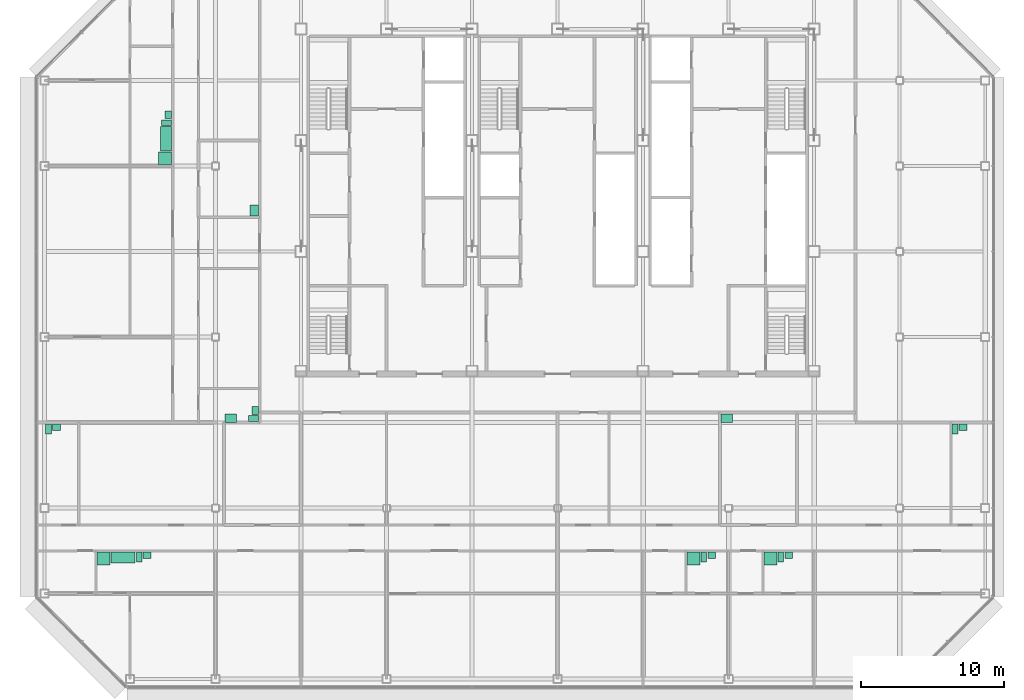
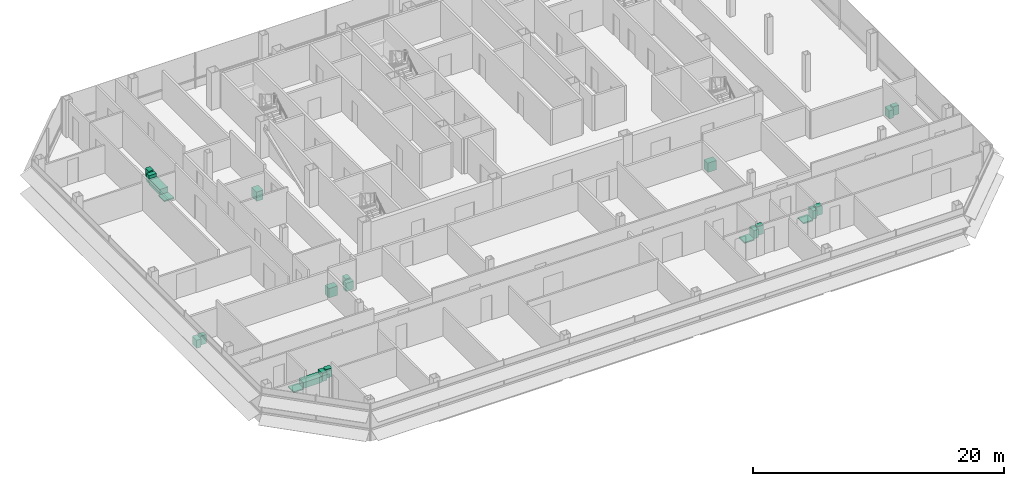
# One storey, part 27 of 27: 23 sanitary terminals.
"""IFC4 building model written with IfcOpenShell, lengths in metres."""

from ifc_helpers import new_model, si_unit, direction, frame, origin, origin_2d, place, context, subcontext, project, spatial, rectangle, extrude, element, save


model = new_model("IFC4")

# Units and contexts
model_context = context("Model", 3, precision=1e-05, world=origin(), true_north=direction((0.0, 1.0)))
body_context = subcontext(model_context, "Body", "Model", "MODEL_VIEW")
ifc_project = project(units=[si_unit("LENGTHUNIT", "METRE"), si_unit("AREAUNIT", "SQUARE_METRE"), si_unit("VOLUMEUNIT", "CUBIC_METRE"), si_unit("PLANEANGLEUNIT", "RADIAN"), si_unit("MASSUNIT", "GRAM", prefix="KILO")], contexts=[model_context])

# Site, building, storey
site_placement = place(None, origin())
site = spatial("IfcSite", under=ifc_project, at=site_placement, CompositionType="ELEMENT")
building_placement = place(site_placement, origin())
building = spatial("IfcBuilding", under=site, at=building_placement, Name="Sorahane Residences", CompositionType="ELEMENT")
storey_placement = place(building_placement, frame((0.0, 0.0, 246.800048828125)))
storey = spatial("IfcBuildingStorey", under=building, at=storey_placement, Name="L58", CompositionType="ELEMENT", Elevation=246.800048828125)

# Sanitary terminals
sanitary_terminal_1_placement = place(storey_placement, frame((-7.8701171875, 8.449951171875, 0.0), z_axis=(0.0, 0.0, 1.0), x_axis=(1.0, 0.0, 0.0)))
element("IfcSanitaryTerminal", 1, at=sanitary_terminal_1_placement, inside=storey, Name="Shower tray En-suite bathroom 58A", PredefinedType="SHOWER", context=body_context, shape_type="SweptSolid", body=[
    extrude(rectangle(XDim=0.89990234375, YDim=0.89990234375, at=origin_2d()), origin(), (0.0, 0.0, 1.0), 0.1201171875),
])
sanitary_terminal_2_placement = place(storey_placement, frame((-6.489990234375, 8.52490234375, 0.0), z_axis=(0.0, 0.0, 1.0), x_axis=(1.0, 0.0, 0.0)))
element("IfcSanitaryTerminal", 2, at=sanitary_terminal_2_placement, inside=storey, Name="Bath En-suite bathroom 58A", PredefinedType="BATH", context=body_context, shape_type="SweptSolid", body=[
    extrude(rectangle(XDim=1.699951171875, YDim=0.75, at=origin_2d()), origin(), (0.0, 0.0, 1.0), 0.56005859375),
])
sanitary_terminal_3_placement = place(storey_placement, frame((-5.360107421875, 8.550048828125, 0.0), z_axis=(0.0, 0.0, 1.0), x_axis=(1.0, 0.0, 0.0)))
element("IfcSanitaryTerminal", 3, at=sanitary_terminal_3_placement, inside=storey, Name="WC pan En-suite bathroom 58A", PredefinedType="TOILETPAN", context=body_context, shape_type="SweptSolid", body=[
    extrude(rectangle(XDim=0.39990234375, YDim=0.699951171875, at=origin_2d()), origin(), (0.0, 0.0, 1.0), 0.800048828125),
])
sanitary_terminal_4_placement = place(storey_placement, frame((-4.804931640625, 8.675048828125, 0.0), z_axis=(0.0, 0.0, 1.0), x_axis=(1.0, 0.0, 0.0)))
element("IfcSanitaryTerminal", 4, at=sanitary_terminal_4_placement, inside=storey, Name="Wash basin En-suite bathroom 58A", PredefinedType="WASHHANDBASIN", context=body_context, shape_type="SweptSolid", body=[
    extrude(rectangle(XDim=0.550048828125, YDim=0.449951171875, at=origin_2d()), origin(), (0.0, 0.0, 1.0), 0.85009765625),
])
sanitary_terminal_5_placement = place(storey_placement, frame((-11.719970703125, 17.550048828125, 0.0), z_axis=(0.0, 0.0, 1.0), x_axis=(1.0, 0.0, 0.0)))
element("IfcSanitaryTerminal", 5, at=sanitary_terminal_5_placement, inside=storey, Name="WC pan Powder room 58A", PredefinedType="TOILETPAN", context=body_context, shape_type="SweptSolid", body=[
    extrude(rectangle(XDim=0.39990234375, YDim=0.699951171875, at=origin_2d()), origin(), (0.0, 0.0, 1.0), 0.800048828125),
])
sanitary_terminal_6_placement = place(storey_placement, frame((-11.1650390625, 17.675048828125, 0.0), z_axis=(0.0, 0.0, 1.0), x_axis=(1.0, 0.0, 0.0)))
element("IfcSanitaryTerminal", 6, at=sanitary_terminal_6_placement, inside=storey, Name="Wash basin Powder room 58A", PredefinedType="WASHHANDBASIN", context=body_context, shape_type="SweptSolid", body=[
    extrude(rectangle(XDim=0.550048828125, YDim=0.449951171875, at=origin_2d()), origin(), (0.0, 0.0, 1.0), 0.85009765625),
])
sanitary_terminal_7_placement = place(storey_placement, frame((1.080078125, 18.300048828125, 0.0), z_axis=(0.0, 0.0, 1.0), x_axis=(1.0, 0.0, 0.0)))
element("IfcSanitaryTerminal", 7, at=sanitary_terminal_7_placement, inside=storey, Name="Kitchen sink Kitchen 58A", PredefinedType="SINK", context=body_context, shape_type="SweptSolid", body=[
    extrude(rectangle(XDim=0.800048828125, YDim=0.60009765625, at=origin_2d()), origin(), (0.0, 0.0, 1.0), 0.89990234375),
])
sanitary_terminal_8_placement = place(storey_placement, frame((33.530029296875, 8.449951171875, 0.0), z_axis=(0.0, 0.0, 1.0), x_axis=(1.0, 0.0, 0.0)))
element("IfcSanitaryTerminal", 8, at=sanitary_terminal_8_placement, inside=storey, Name="Shower tray En-suite bathroom 58B", PredefinedType="SHOWER", context=body_context, shape_type="SweptSolid", body=[
    extrude(rectangle(XDim=0.89990234375, YDim=0.89990234375, at=origin_2d()), origin(), (0.0, 0.0, 1.0), 0.1201171875),
])
sanitary_terminal_9_placement = place(storey_placement, frame((34.260009765625, 8.550048828125, 0.0), z_axis=(0.0, 0.0, 1.0), x_axis=(1.0, 0.0, 0.0)))
element("IfcSanitaryTerminal", 9, at=sanitary_terminal_9_placement, inside=storey, Name="WC pan En-suite bathroom 58B", PredefinedType="TOILETPAN", context=body_context, shape_type="SweptSolid", body=[
    extrude(rectangle(XDim=0.39990234375, YDim=0.699951171875, at=origin_2d()), origin(), (0.0, 0.0, 1.0), 0.800048828125),
])
sanitary_terminal_10_placement = place(storey_placement, frame((34.81494140625, 8.675048828125, 0.0), z_axis=(0.0, 0.0, 1.0), x_axis=(1.0, 0.0, 0.0)))
element("IfcSanitaryTerminal", 10, at=sanitary_terminal_10_placement, inside=storey, Name="Wash basin En-suite bathroom 58B", PredefinedType="WASHHANDBASIN", context=body_context, shape_type="SweptSolid", body=[
    extrude(rectangle(XDim=0.550048828125, YDim=0.449951171875, at=origin_2d()), origin(), (0.0, 0.0, 1.0), 0.85009765625),
])
sanitary_terminal_11_placement = place(storey_placement, frame((38.929931640625, 8.449951171875, 0.0), z_axis=(0.0, 0.0, 1.0), x_axis=(1.0, 0.0, 0.0)))
element("IfcSanitaryTerminal", 11, at=sanitary_terminal_11_placement, inside=storey, Name="Shower tray En-suite bathroom 58B-2", PredefinedType="SHOWER", context=body_context, shape_type="SweptSolid", body=[
    extrude(rectangle(XDim=0.89990234375, YDim=0.89990234375, at=origin_2d()), origin(), (0.0, 0.0, 1.0), 0.1201171875),
])
sanitary_terminal_12_placement = place(storey_placement, frame((39.659912109375, 8.550048828125, 0.0), z_axis=(0.0, 0.0, 1.0), x_axis=(1.0, 0.0, 0.0)))
element("IfcSanitaryTerminal", 12, at=sanitary_terminal_12_placement, inside=storey, Name="WC pan En-suite bathroom 58B-2", PredefinedType="TOILETPAN", context=body_context, shape_type="SweptSolid", body=[
    extrude(rectangle(XDim=0.39990234375, YDim=0.699951171875, at=origin_2d()), origin(), (0.0, 0.0, 1.0), 0.800048828125),
])
sanitary_terminal_13_placement = place(storey_placement, frame((40.215087890625, 8.675048828125, 0.0), z_axis=(0.0, 0.0, 1.0), x_axis=(1.0, 0.0, 0.0)))
element("IfcSanitaryTerminal", 13, at=sanitary_terminal_13_placement, inside=storey, Name="Wash basin En-suite bathroom 58B-2", PredefinedType="WASHHANDBASIN", context=body_context, shape_type="SweptSolid", body=[
    extrude(rectangle(XDim=0.550048828125, YDim=0.449951171875, at=origin_2d()), origin(), (0.0, 0.0, 1.0), 0.85009765625),
])
sanitary_terminal_14_placement = place(storey_placement, frame((35.8798828125, 18.300048828125, 0.0), z_axis=(0.0, 0.0, 1.0), x_axis=(1.0, 0.0, 0.0)))
element("IfcSanitaryTerminal", 14, at=sanitary_terminal_14_placement, inside=storey, Name="Kitchen sink Kitchen 58B", PredefinedType="SINK", context=body_context, shape_type="SweptSolid", body=[
    extrude(rectangle(XDim=0.800048828125, YDim=0.60009765625, at=origin_2d()), origin(), (0.0, 0.0, 1.0), 0.89990234375),
])
sanitary_terminal_15_placement = place(storey_placement, frame((51.8798828125, 17.550048828125, 0.0), z_axis=(0.0, 0.0, 1.0), x_axis=(1.0, 0.0, 0.0)))
element("IfcSanitaryTerminal", 15, at=sanitary_terminal_15_placement, inside=storey, Name="WC pan Powder room 58B", PredefinedType="TOILETPAN", context=body_context, shape_type="SweptSolid", body=[
    extrude(rectangle(XDim=0.39990234375, YDim=0.699951171875, at=origin_2d()), origin(), (0.0, 0.0, 1.0), 0.800048828125),
])
sanitary_terminal_16_placement = place(storey_placement, frame((52.43505859375, 17.675048828125, 0.0), z_axis=(0.0, 0.0, 1.0), x_axis=(1.0, 0.0, 0.0)))
element("IfcSanitaryTerminal", 16, at=sanitary_terminal_16_placement, inside=storey, Name="Wash basin Powder room 58B", PredefinedType="WASHHANDBASIN", context=body_context, shape_type="SweptSolid", body=[
    extrude(rectangle(XDim=0.550048828125, YDim=0.449951171875, at=origin_2d()), origin(), (0.0, 0.0, 1.0), 0.85009765625),
])
sanitary_terminal_17_placement = place(storey_placement, frame((-3.550048828125, 36.530029296875, 0.0), z_axis=(0.0, 0.0, 1.0), x_axis=(0.0, -1.0, 0.0)))
element("IfcSanitaryTerminal", 17, at=sanitary_terminal_17_placement, inside=storey, Name="Shower tray En-suite bathroom 58C", PredefinedType="SHOWER", context=body_context, shape_type="SweptSolid", body=[
    extrude(rectangle(XDim=0.89990234375, YDim=0.89990234375, at=origin_2d()), origin(), (0.0, 0.0, 1.0), 0.1201171875),
])
sanitary_terminal_18_placement = place(storey_placement, frame((-3.47509765625, 37.909912109375, 0.0), z_axis=(0.0, 0.0, 1.0), x_axis=(0.0, -1.0, 0.0)))
element("IfcSanitaryTerminal", 18, at=sanitary_terminal_18_placement, inside=storey, Name="Bath En-suite bathroom 58C", PredefinedType="BATH", context=body_context, shape_type="SweptSolid", body=[
    extrude(rectangle(XDim=1.699951171875, YDim=0.75, at=origin_2d()), origin(), (0.0, 0.0, 1.0), 0.56005859375),
])
sanitary_terminal_19_placement = place(storey_placement, frame((-3.449951171875, 39.0400390625, 0.0), z_axis=(0.0, 0.0, 1.0), x_axis=(0.0, -1.0, 0.0)))
element("IfcSanitaryTerminal", 19, at=sanitary_terminal_19_placement, inside=storey, Name="WC pan En-suite bathroom 58C", PredefinedType="TOILETPAN", context=body_context, shape_type="SweptSolid", body=[
    extrude(rectangle(XDim=0.39990234375, YDim=0.699951171875, at=origin_2d()), origin(), (0.0, 0.0, 1.0), 0.800048828125),
])
sanitary_terminal_20_placement = place(storey_placement, frame((-3.324951171875, 39.594970703125, 0.0), z_axis=(0.0, 0.0, 1.0), x_axis=(0.0, -1.0, 0.0)))
element("IfcSanitaryTerminal", 20, at=sanitary_terminal_20_placement, inside=storey, Name="Wash basin En-suite bathroom 58C", PredefinedType="WASHHANDBASIN", context=body_context, shape_type="SweptSolid", body=[
    extrude(rectangle(XDim=0.550048828125, YDim=0.449951171875, at=origin_2d()), origin(), (0.0, 0.0, 1.0), 0.85009765625),
])
sanitary_terminal_21_placement = place(storey_placement, frame((2.64990234375, 18.280029296875, 0.0), z_axis=(0.0, 0.0, 1.0), x_axis=(0.0, -1.0, 0.0)))
element("IfcSanitaryTerminal", 21, at=sanitary_terminal_21_placement, inside=storey, Name="WC pan Powder room 58C", PredefinedType="TOILETPAN", context=body_context, shape_type="SweptSolid", body=[
    extrude(rectangle(XDim=0.39990234375, YDim=0.699951171875, at=origin_2d()), origin(), (0.0, 0.0, 1.0), 0.800048828125),
])
sanitary_terminal_22_placement = place(storey_placement, frame((2.77490234375, 18.8349609375, 0.0), z_axis=(0.0, 0.0, 1.0), x_axis=(0.0, -1.0, 0.0)))
element("IfcSanitaryTerminal", 22, at=sanitary_terminal_22_placement, inside=storey, Name="Wash basin Powder room 58C", PredefinedType="WASHHANDBASIN", context=body_context, shape_type="SweptSolid", body=[
    extrude(rectangle(XDim=0.550048828125, YDim=0.449951171875, at=origin_2d()), origin(), (0.0, 0.0, 1.0), 0.85009765625),
])
sanitary_terminal_23_placement = place(storey_placement, frame((2.699951171875, 32.8798828125, 0.0), z_axis=(0.0, 0.0, 1.0), x_axis=(0.0, -1.0, 0.0)))
element("IfcSanitaryTerminal", 23, at=sanitary_terminal_23_placement, inside=storey, Name="Kitchen sink Kitchen 58C", PredefinedType="SINK", context=body_context, shape_type="SweptSolid", body=[
    extrude(rectangle(XDim=0.800048828125, YDim=0.60009765625, at=origin_2d()), origin(), (0.0, 0.0, 1.0), 0.89990234375),
])

save(model, "model.ifc")
